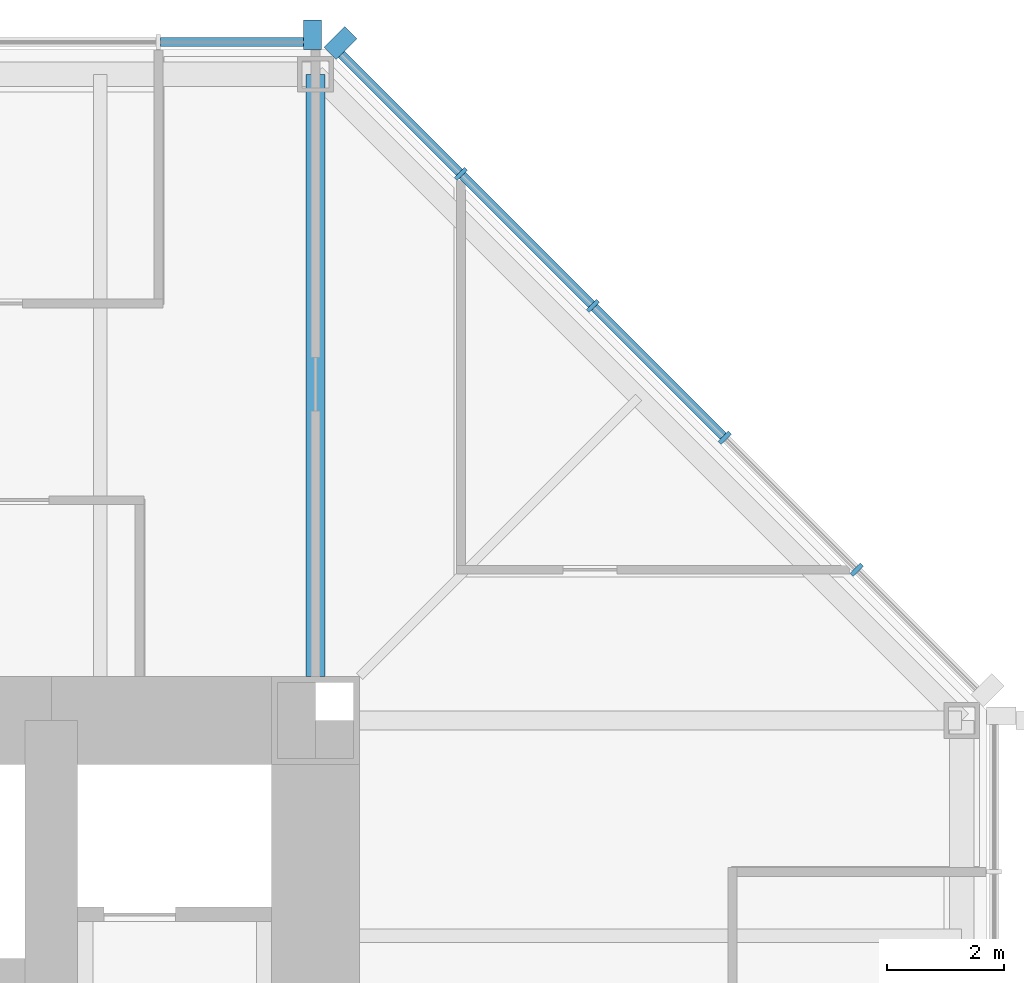
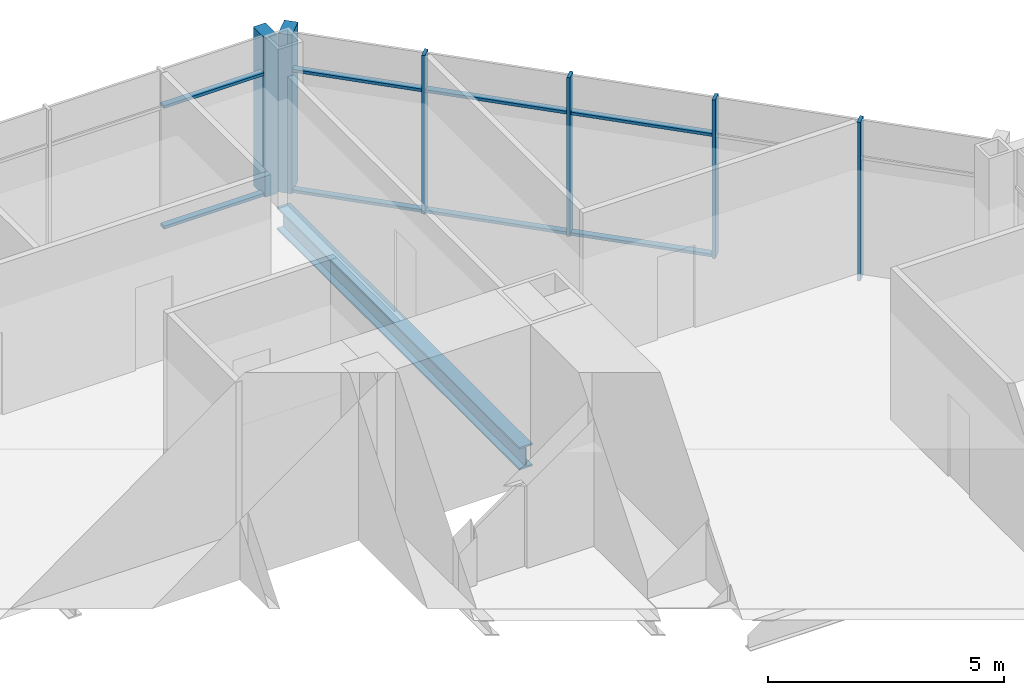
# One storey, part 6 of 12: 14 members, 1 beam, 2 elements without a shape of their own.
"""IFC4 building model written with IfcOpenShell, lengths in metres."""

import ifcopenshell
import ifcopenshell.guid

model = None  # the IFC model being written
_history = None  # IfcOwnerHistory: only IFC2X3 demands one
_inside = {}  # id of a spatial element -> (the spatial element, [elements in it])
_under = {}  # id of a project, library or spatial element -> (it, [spatial elements below it])
_declared = {}  # id of a project -> (the project, [libraries it declares])
_typed = {}  # id of a type object -> (the type object, [elements of that type])
_made_of = {}  # id of a material, layer set ... -> (it, [elements and type objects made of it])


def new_model(schema):
    """Start an empty IFC model of exactly this schema.

    Asked for "IFC4X3", IfcOpenShell would pick the latest addendum, in which some entities
    have other attributes; the version numbers below select the first issue.
    IFC2X3 requires an IfcOwnerHistory on every rooted entity: one is made here for all.
    """
    global model, _history
    if schema == "IFC4X3":
        model = ifcopenshell.file(schema_version=(4, 3, 0, 0))
    else:
        model = ifcopenshell.file(schema=schema)
    _inside.clear()
    _under.clear()
    _declared.clear()
    _typed.clear()
    _made_of.clear()
    _history = None
    if model.schema == "IFC2X3":
        org = make("IfcOrganization", Name="unknown")
        user = make(
            "IfcPersonAndOrganization",
            ThePerson=make("IfcPerson", FamilyName="unknown"),
            TheOrganization=org,
        )
        app = make(
            "IfcApplication",
            ApplicationDeveloper=org,
            Version="unknown",
            ApplicationFullName="unknown",
            ApplicationIdentifier="unknown",
        )
        _history = make(
            "IfcOwnerHistory",
            OwningUser=user,
            OwningApplication=app,
            ChangeAction="ADDED",
            CreationDate=0,
        )
    return model


def make(cls, **values):
    """One entity of the class cls with the attributes given. An attribute that is None is left unset."""
    return model.create_entity(
        cls, **{name: value for name, value in values.items() if value is not None}
    )


def rooted(cls, **values):
    """An entity with a GlobalId (a new one), such as an element, a storey or a relation."""
    return make(cls, GlobalId=ifcopenshell.guid.new(), OwnerHistory=_history, **values)


def si_unit(unit_type, name, prefix=None):
    """IfcSIUnit, for example si_unit("LENGTHUNIT", "METRE", prefix="MILLI")."""
    return make("IfcSIUnit", UnitType=unit_type, Prefix=prefix, Name=name)


def assignment(units):
    """IfcUnitAssignment: the units of a project."""
    return None if units is None else make("IfcUnitAssignment", Units=units)


def point(xyz):
    """IfcCartesianPoint."""
    return None if xyz is None else make("IfcCartesianPoint", Coordinates=xyz)


def direction(xyz):
    """IfcDirection."""
    return None if xyz is None else make("IfcDirection", DirectionRatios=xyz)


def frame(location, z_axis=None, x_axis=None):
    """IfcAxis2Placement3D, a coordinate frame: its origin and axes. An axis left out is left unset."""
    return make(
        "IfcAxis2Placement3D",
        Location=point(location),
        Axis=direction(z_axis),
        RefDirection=direction(x_axis),
    )


def frame_2d(location, x_axis=None):
    """IfcAxis2Placement2D, a coordinate frame in the plane: its origin and x axis."""
    return make(
        "IfcAxis2Placement2D", Location=point(location), RefDirection=direction(x_axis)
    )


def origin():
    """The frame at (0, 0, 0) with its axes left unset."""
    return frame((0.0, 0.0, 0.0))


def origin_2d():
    """The frame at (0, 0) in the plane with its x axis left unset."""
    return frame_2d((0.0, 0.0))


def place(relative_to, where):
    """IfcLocalPlacement: puts the frame where relative to a parent placement (None: the world)."""
    return make(
        "IfcLocalPlacement", PlacementRelTo=relative_to, RelativePlacement=where
    )


def context(
    kind, dimensions, precision=None, world=None, true_north=None, identifier=None
):
    """IfcGeometricRepresentationContext, for example the 3D "Model" context."""
    return make(
        "IfcGeometricRepresentationContext",
        ContextIdentifier=identifier,
        ContextType=kind,
        CoordinateSpaceDimension=dimensions,
        Precision=precision,
        WorldCoordinateSystem=world,
        TrueNorth=true_north,
    )


def subcontext(parent, identifier, kind, view, scale=None):
    """IfcGeometricRepresentationSubContext, for example "Body" below "Model"."""
    return make(
        "IfcGeometricRepresentationSubContext",
        ContextIdentifier=identifier,
        ContextType=kind,
        ParentContext=parent,
        TargetScale=scale,
        TargetView=view,
    )


def project(units=None, contexts=None):
    """IfcProject with its units and contexts."""
    return rooted(
        "IfcProject",
        Name="project",
        RepresentationContexts=contexts,
        UnitsInContext=assignment(units),
    )


def spatial(cls, under=None, at=None, **own):
    """A site, building, storey or space (cls), placed at a placement, below another one or the project."""
    s = rooted(cls, ObjectPlacement=at, **own)
    if under is not None:
        _under.setdefault(under.id(), (under, []))[1].append(s)
    return s


def profile(cls, at=None, kind="AREA", **sizes):
    """A parametric profile (cls). Its sizes go by their IFC names, for example OverallWidth=200.0."""
    return make(cls, ProfileType=kind, Position=at, **sizes)


def rectangle(**sizes):
    """IfcRectangleProfileDef."""
    return profile("IfcRectangleProfileDef", **sizes)


def i_section(**sizes):
    """IfcIShapeProfileDef."""
    return profile("IfcIShapeProfileDef", **sizes)


def extrude(swept, where, along, depth):
    """IfcExtrudedAreaSolid: the profile swept, set in the frame where, extruded along a direction by depth."""
    return make(
        "IfcExtrudedAreaSolid",
        SweptArea=swept,
        Position=where,
        ExtrudedDirection=direction(along),
        Depth=depth,
    )


def shape(context_of_items, identifier, shape_type, items):
    """IfcShapeRepresentation: the items that make up one representation, for example the "Body"."""
    return make(
        "IfcShapeRepresentation",
        ContextOfItems=context_of_items,
        RepresentationIdentifier=identifier,
        RepresentationType=shape_type,
        Items=items,
    )


def material(Name=None, Category=None):
    """IfcMaterial."""
    return make("IfcMaterial", Name=Name, Category=Category)


def material_profile(
    of_material, cross_section, Name=None, Category=None, Priority=None
):
    """IfcMaterialProfile: a cross section and its material."""
    return make(
        "IfcMaterialProfile",
        Name=Name,
        Material=of_material,
        Profile=cross_section,
        Priority=Priority,
        Category=Category,
    )


def profile_set(profiles, Name=None, composite=None):
    """IfcMaterialProfileSet."""
    return make(
        "IfcMaterialProfileSet",
        Name=Name,
        MaterialProfiles=profiles,
        CompositeProfile=composite,
    )


def made_of(thing, what):
    """Note that an element or type object is made of a material, layer set ...; save() writes the relation."""
    if what is not None:
        _made_of.setdefault(what.id(), (what, []))[1].append(thing)
    return thing


def type_object(cls, material=None, **own):
    """A type object (cls), such as IfcWallType, which elements share."""
    return made_of(rooted(cls, **own), material)


def element(
    cls,
    number,
    at=None,
    inside=None,
    cuts=None,
    type_object=None,
    material=None,
    context=None,
    identifier="Body",
    shape_type=None,
    held_by="IfcProductDefinitionShape",
    body=None,
    shapes=None,
    **own,
):
    """One element of the class cls, such as IfcWall. Its Tag is "e" and its number.

    at: its placement. inside: the storey or other place that contains it. cuts: it is an
    opening in that element (IfcRelVoidsElement). A single representation is given by context,
    identifier, shape_type and body (its items); several are given by shapes. held_by: the class
    of the entity that holds the representations. save() writes the other relations.
    """
    e = rooted(cls, Tag="e%d" % number, ObjectPlacement=at, **own)
    if body is not None:
        shapes = [shape(context, identifier, shape_type, body)]
    if shapes is not None:
        e.Representation = make(held_by, Representations=shapes)
    if inside is not None:
        _inside.setdefault(inside.id(), (inside, []))[1].append(e)
    if cuts is not None:
        rooted(
            "IfcRelVoidsElement", RelatingBuildingElement=cuts, RelatedOpeningElement=e
        )
    if type_object is not None:
        _typed.setdefault(type_object.id(), (type_object, []))[1].append(e)
    return made_of(e, material)


def aggregate(whole, parts):
    """IfcRelAggregates: a whole, such as a stair, and the parts it consists of."""
    return rooted("IfcRelAggregates", RelatingObject=whole, RelatedObjects=parts)


def save(model, path):
    """Write the relations noted so far, then the file.

    IfcRelAggregates (storeys below a building ...), IfcRelContainedInSpatialStructure (elements
    in a storey), IfcRelDefinesByType, IfcRelAssociatesMaterial and IfcRelDeclares: one each for
    every whole, place, type object, material and project.
    """
    for whole, parts in _under.values():
        aggregate(whole, parts)
    for where, things in _inside.values():
        rooted(
            "IfcRelContainedInSpatialStructure",
            RelatedElements=things,
            RelatingStructure=where,
        )
    for kind, things in _typed.values():
        rooted("IfcRelDefinesByType", RelatedObjects=things, RelatingType=kind)
    for what, things in _made_of.values():
        rooted("IfcRelAssociatesMaterial", RelatedObjects=things, RelatingMaterial=what)
    for by, libraries in _declared.values():
        rooted("IfcRelDeclares", RelatingContext=by, RelatedDefinitions=libraries)
    model.write(path)


model = new_model("IFC4")

# Units and contexts
model_context = context("Model", 3, precision=1e-05, world=origin(), true_north=direction((0.0, 1.0)))
body_context = subcontext(model_context, "Body", "Model", "MODEL_VIEW")
ifc_project = project(units=[si_unit("LENGTHUNIT", "METRE"), si_unit("AREAUNIT", "SQUARE_METRE"), si_unit("VOLUMEUNIT", "CUBIC_METRE"), si_unit("PLANEANGLEUNIT", "RADIAN"), si_unit("MASSUNIT", "GRAM", prefix="KILO")], contexts=[model_context])

# Site, building, storey
site_placement = place(None, origin())
site = spatial("IfcSite", under=ifc_project, at=site_placement, CompositionType="ELEMENT")
building_placement = place(site_placement, origin())
building = spatial("IfcBuilding", under=site, at=building_placement, Name="Trevanion Tower", CompositionType="ELEMENT")
storey_placement = place(building_placement, frame((0.0, 0.0, 162.300048828125)))
storey = spatial("IfcBuildingStorey", under=building, at=storey_placement, Name="L38", CompositionType="ELEMENT", Elevation=162.300048828125)

# Curtain wall, members
ifc_material_1 = material(Name="Aluminium and glass", Category="aluminium")
curtain_wall_type = type_object("IfcCurtainWallType", Name="CW2 curtain wall", PredefinedType="USERDEFINED", material=ifc_material_1)
curtain_wall_1_placement = place(storey_placement, origin())
curtain_wall_1 = element("IfcCurtainWall", 1, at=curtain_wall_1_placement, inside=storey, type_object=curtain_wall_type, Name="CW2 L38 1", ObjectType="UNITISED CURTAIN WALL", PredefinedType="USERDEFINED")
ifc_material_2 = material(Name="Aluminium extrusion, anodised bronze", Category="aluminium")
ifc_material_profile_1 = material_profile(ifc_material_2, rectangle(XDim=0.074951171875, YDim=0.25, at=origin_2d()), Name="CW2 mullion")
ifc_profile_set_1 = profile_set([ifc_material_profile_1], Name="Aluminium extrusion, anodised bronze")
member_type_1 = type_object("IfcMemberType", Name="CW2 mullion", PredefinedType="MULLION", material=ifc_profile_set_1)
member_1_placement = place(storey_placement, frame((20.2119140625, 13.56591796875, -0.18994140625), z_axis=(0.0, 0.0, 1.0), x_axis=(-0.707106781187, 0.707106781187, 0.0)))
member_1 = element("IfcMember", 2, at=member_1_placement, type_object=member_type_1, Name="CW2 mullion 2", PredefinedType="MULLION", context=body_context, shape_type="SweptSolid", body=[
    extrude(rectangle(XDim=0.074951171875, YDim=0.25, at=origin_2d()), origin(), (0.0, 0.0, 1.0), 4.099853515625),
])
member_2_placement = place(storey_placement, frame((17.966064453125, 15.811767578125, -0.18994140625), z_axis=(0.0, 0.0, 1.0), x_axis=(-0.707106781187, 0.707106781187, 0.0)))
member_2 = element("IfcMember", 3, at=member_2_placement, type_object=member_type_1, Name="CW2 mullion 3", PredefinedType="MULLION", context=body_context, shape_type="SweptSolid", body=[
    extrude(rectangle(XDim=0.074951171875, YDim=0.25, at=origin_2d()), origin(), (0.0, 0.0, 1.0), 4.099853515625),
])
member_3_placement = place(storey_placement, frame((15.719970703125, 18.057861328125, -0.18994140625), z_axis=(0.0, 0.0, 1.0), x_axis=(-0.707106781187, 0.707106781187, 0.0)))
member_3 = element("IfcMember", 4, at=member_3_placement, type_object=member_type_1, Name="CW2 mullion 4", PredefinedType="MULLION", context=body_context, shape_type="SweptSolid", body=[
    extrude(rectangle(XDim=0.074951171875, YDim=0.25, at=origin_2d()), origin(), (0.0, 0.0, 1.0), 4.099853515625),
])
member_4_placement = place(storey_placement, frame((13.473876953125, 20.303955078125, -0.18994140625), z_axis=(0.0, 0.0, 1.0), x_axis=(-0.707106781187, 0.707106781187, 0.0)))
member_4 = element("IfcMember", 5, at=member_4_placement, type_object=member_type_1, Name="CW2 mullion 5", PredefinedType="MULLION", context=body_context, shape_type="SweptSolid", body=[
    extrude(rectangle(XDim=0.074951171875, YDim=0.25, at=origin_2d()), origin(), (0.0, 0.0, 1.0), 4.099853515625),
])
ifc_material_3 = material(Name="Aluminium extrusion, anodised bronze", Category="aluminium")
ifc_material_profile_2 = material_profile(ifc_material_3, rectangle(XDim=0.300048828125, YDim=0.5, at=origin_2d()), Name="CW2 pier mullion")
ifc_profile_set_2 = profile_set([ifc_material_profile_2], Name="Aluminium extrusion, anodised bronze")
member_type_2 = type_object("IfcMemberType", Name="CW2 pier mullion", PredefinedType="MULLION", material=ifc_profile_set_2)
member_5_placement = place(storey_placement, frame((11.42236328125, 22.5322265625, -0.18994140625), z_axis=(0.0, 0.0, 1.0), x_axis=(-0.707106781187, 0.707106781187, 0.0)))
member_5 = element("IfcMember", 6, at=member_5_placement, type_object=member_type_2, Name="CW2 pier mullion 6", PredefinedType="MULLION", context=body_context, shape_type="SweptSolid", body=[
    extrude(rectangle(XDim=0.300048828125, YDim=0.5, at=origin_2d()), origin(), (0.0, 0.0, 1.0), 4.099853515625),
])

# Curtain wall, member
curtain_wall_2_placement = place(storey_placement, origin())
curtain_wall_2 = element("IfcCurtainWall", 7, at=curtain_wall_2_placement, inside=storey, type_object=curtain_wall_type, Name="CW2 L38 2", ObjectType="UNITISED CURTAIN WALL", PredefinedType="USERDEFINED")
member_6_placement = place(storey_placement, frame((10.94775390625, 22.675048828125, -0.18994140625), z_axis=(0.0, 0.0, 1.0), x_axis=(-1.0, 0.0, 0.0)))
member_6 = element("IfcMember", 8, at=member_6_placement, type_object=member_type_2, Name="CW2 pier mullion 1", PredefinedType="MULLION", context=body_context, shape_type="SweptSolid", body=[
    extrude(rectangle(XDim=0.300048828125, YDim=0.5, at=origin_2d()), origin(), (0.0, 0.0, 1.0), 4.099853515625),
])

# Member
ifc_material_4 = material(Name="Aluminium extrusion, anodised bronze", Category="aluminium")
ifc_material_profile_3 = material_profile(ifc_material_4, rectangle(XDim=0.14990234375, YDim=0.074951171875, at=origin_2d()), Name="CW2 transom")
ifc_profile_set_3 = profile_set([ifc_material_profile_3], Name="Aluminium extrusion, anodised bronze")
member_type_3 = type_object("IfcMemberType", Name="CW2 transom", PredefinedType="USERDEFINED", material=ifc_profile_set_3)
member_7_placement = place(storey_placement, frame((17.939453125, 15.83837890625, -0.152587890625), z_axis=(-0.707106781187, 0.707106781187, 0.0), x_axis=(-0.707106781187, -0.707106781187, 0.0)))
member_7 = element("IfcMember", 9, at=member_7_placement, type_object=member_type_3, Name="CW2 transom 3.1", ObjectType="TRANSOM", PredefinedType="USERDEFINED", context=body_context, shape_type="SweptSolid", body=[
    extrude(rectangle(XDim=0.14990234375, YDim=0.074951171875, at=origin_2d()), origin(), (0.0, 0.0, 1.0), 3.1015625),
])

member_8_placement = place(storey_placement, frame((17.939453125, 15.83837890625, 2.9599609375), z_axis=(-0.707106781187, 0.707106781187, 0.0), x_axis=(-0.707106781187, -0.707106781187, 0.0)))
member_8 = element("IfcMember", 10, at=member_8_placement, type_object=member_type_3, Name="CW2 transom 3.2", ObjectType="TRANSOM", PredefinedType="USERDEFINED", context=body_context, shape_type="SweptSolid", body=[
    extrude(rectangle(XDim=0.14990234375, YDim=0.074951171875, at=origin_2d()), origin(), (0.0, 0.0, 1.0), 3.1015625),
])

member_9_placement = place(storey_placement, frame((15.693359375, 18.08447265625, -0.152587890625), z_axis=(-0.707106781187, 0.707106781187, 0.0), x_axis=(-0.707106781187, -0.707106781187, 0.0)))
member_9 = element("IfcMember", 11, at=member_9_placement, type_object=member_type_3, Name="CW2 transom 4.1", ObjectType="TRANSOM", PredefinedType="USERDEFINED", context=body_context, shape_type="SweptSolid", body=[
    extrude(rectangle(XDim=0.14990234375, YDim=0.074951171875, at=origin_2d()), origin(), (0.0, 0.0, 1.0), 3.10107421875),
])

member_10_placement = place(storey_placement, frame((15.693359375, 18.08447265625, 2.9599609375), z_axis=(-0.707106781187, 0.707106781187, 0.0), x_axis=(-0.707106781187, -0.707106781187, 0.0)))
member_10 = element("IfcMember", 12, at=member_10_placement, type_object=member_type_3, Name="CW2 transom 4.2", ObjectType="TRANSOM", PredefinedType="USERDEFINED", context=body_context, shape_type="SweptSolid", body=[
    extrude(rectangle(XDim=0.14990234375, YDim=0.074951171875, at=origin_2d()), origin(), (0.0, 0.0, 1.0), 3.10107421875),
])

member_11_placement = place(storey_placement, frame((13.447509765625, 20.33056640625, -0.152587890625), z_axis=(-0.707149778163, 0.707063781595, 0.0), x_axis=(-0.707063781595, -0.707149778163, 0.0)))
member_11 = element("IfcMember", 13, at=member_11_placement, type_object=member_type_3, Name="CW2 transom 5.1", ObjectType="TRANSOM", PredefinedType="USERDEFINED", context=body_context, shape_type="SweptSolid", body=[
    extrude(rectangle(XDim=0.14990234375, YDim=0.074951171875, at=origin_2d()), origin(), (0.0, 0.0, 1.0), 2.8388671875),
])

member_12_placement = place(storey_placement, frame((13.447509765625, 20.33056640625, 2.9599609375), z_axis=(-0.707149778163, 0.707063781595, 0.0), x_axis=(-0.707063781595, -0.707149778163, 0.0)))
member_12 = element("IfcMember", 14, at=member_12_placement, type_object=member_type_3, Name="CW2 transom 5.2", ObjectType="TRANSOM", PredefinedType="USERDEFINED", context=body_context, shape_type="SweptSolid", body=[
    extrude(rectangle(XDim=0.14990234375, YDim=0.074951171875, at=origin_2d()), origin(), (0.0, 0.0, 1.0), 2.8388671875),
])

aggregate(curtain_wall_1, [member_1, member_2, member_3, member_4, member_5, member_7, member_8, member_9, member_10, member_11, member_12])

member_13_placement = place(storey_placement, frame((10.7978515625, 22.550048828125, -0.152587890625), z_axis=(-1.0, 0.0, 0.0), x_axis=(0.0, -1.0, 0.0)))
member_13 = element("IfcMember", 15, at=member_13_placement, type_object=member_type_3, Name="CW2 transom 1.1", ObjectType="TRANSOM", PredefinedType="USERDEFINED", context=body_context, shape_type="SweptSolid", body=[
    extrude(rectangle(XDim=0.14990234375, YDim=0.074951171875, at=origin_2d()), origin(), (0.0, 0.0, 1.0), 2.43701171875),
])

member_14_placement = place(storey_placement, frame((10.7978515625, 22.550048828125, 2.9599609375), z_axis=(-1.0, 0.0, 0.0), x_axis=(0.0, -1.0, 0.0)))
member_14 = element("IfcMember", 16, at=member_14_placement, type_object=member_type_3, Name="CW2 transom 1.2", ObjectType="TRANSOM", PredefinedType="USERDEFINED", context=body_context, shape_type="SweptSolid", body=[
    extrude(rectangle(XDim=0.14990234375, YDim=0.074951171875, at=origin_2d()), origin(), (0.0, 0.0, 1.0), 2.43701171875),
])

aggregate(curtain_wall_2, [member_6, member_13, member_14])

# Beam
ifc_material_5 = material(Name="Steel ASTM A992 Grade 50", Category="steel")
ifc_material_profile_4 = material_profile(ifc_material_5, i_section(OverallWidth=0.320068359375, OverallDepth=0.584228515625, WebThickness=0.023193359375, FlangeThickness=0.04150390625, at=origin_2d()), Name="W21X201")
ifc_profile_set_4 = profile_set([ifc_material_profile_4], Name="Steel ASTM A992 Grade 50")
beam_type = type_object("IfcBeamType", Name="G4 W21X201", PredefinedType="BEAM", material=ifc_profile_set_4)
beam_placement = place(storey_placement, frame((11.0, 11.75, -0.482177734375), z_axis=(0.0, 1.0, 0.0), x_axis=(-1.0, 0.0, 0.0)))
element("IfcBeam", 17, at=beam_placement, inside=storey, type_object=beam_type, Name="G4 L38", PredefinedType="BEAM", context=body_context, shape_type="SweptSolid", body=[
    extrude(i_section(OverallWidth=0.320068359375, OverallDepth=0.584228515625, WebThickness=0.023193359375, FlangeThickness=0.04150390625, at=origin_2d()), origin(), (0.0, 0.0, 1.0), 10.25),
])

save(model, "model.ifc")
